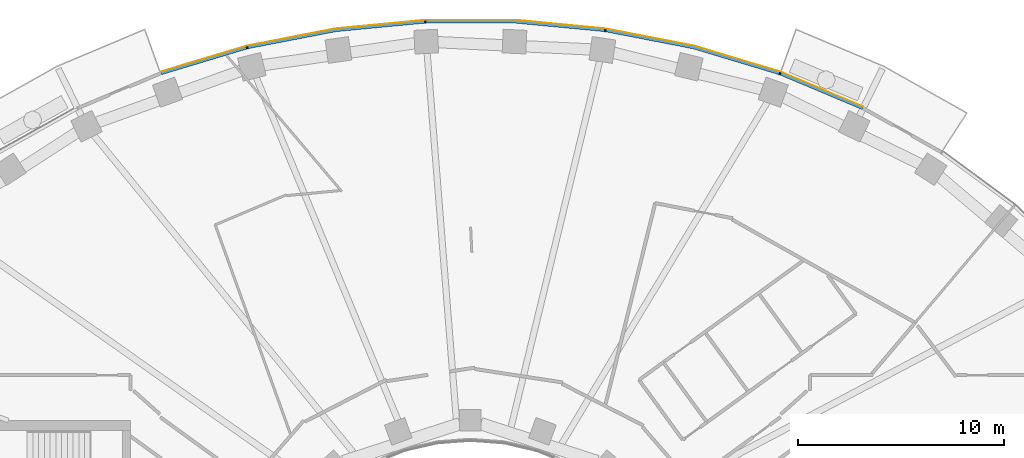
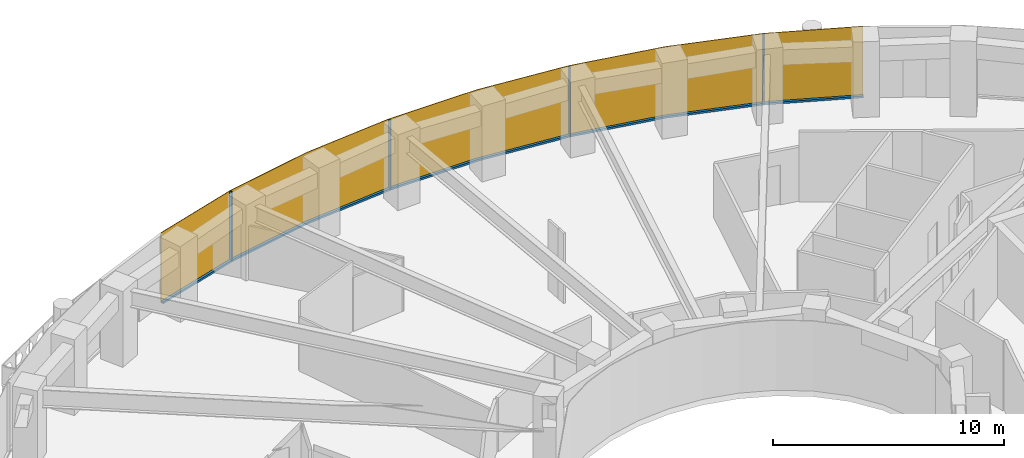
# One storey, part 12 of 15: 9 members, 1 curtain wall.
"""IFC4 building model written with IfcOpenShell, lengths in metres."""

import ifcopenshell
import ifcopenshell.guid

model = None  # the IFC model being written
_history = None  # IfcOwnerHistory: only IFC2X3 demands one
_inside = {}  # id of a spatial element -> (the spatial element, [elements in it])
_under = {}  # id of a project, library or spatial element -> (it, [spatial elements below it])
_declared = {}  # id of a project -> (the project, [libraries it declares])
_typed = {}  # id of a type object -> (the type object, [elements of that type])
_made_of = {}  # id of a material, layer set ... -> (it, [elements and type objects made of it])


def new_model(schema):
    """Start an empty IFC model of exactly this schema.

    Asked for "IFC4X3", IfcOpenShell would pick the latest addendum, in which some entities
    have other attributes; the version numbers below select the first issue.
    IFC2X3 requires an IfcOwnerHistory on every rooted entity: one is made here for all.
    """
    global model, _history
    if schema == "IFC4X3":
        model = ifcopenshell.file(schema_version=(4, 3, 0, 0))
    else:
        model = ifcopenshell.file(schema=schema)
    _inside.clear()
    _under.clear()
    _declared.clear()
    _typed.clear()
    _made_of.clear()
    _history = None
    if model.schema == "IFC2X3":
        org = make("IfcOrganization", Name="unknown")
        user = make(
            "IfcPersonAndOrganization",
            ThePerson=make("IfcPerson", FamilyName="unknown"),
            TheOrganization=org,
        )
        app = make(
            "IfcApplication",
            ApplicationDeveloper=org,
            Version="unknown",
            ApplicationFullName="unknown",
            ApplicationIdentifier="unknown",
        )
        _history = make(
            "IfcOwnerHistory",
            OwningUser=user,
            OwningApplication=app,
            ChangeAction="ADDED",
            CreationDate=0,
        )
    return model


def make(cls, **values):
    """One entity of the class cls with the attributes given. An attribute that is None is left unset."""
    return model.create_entity(
        cls, **{name: value for name, value in values.items() if value is not None}
    )


def rooted(cls, **values):
    """An entity with a GlobalId (a new one), such as an element, a storey or a relation."""
    return make(cls, GlobalId=ifcopenshell.guid.new(), OwnerHistory=_history, **values)


def si_unit(unit_type, name, prefix=None):
    """IfcSIUnit, for example si_unit("LENGTHUNIT", "METRE", prefix="MILLI")."""
    return make("IfcSIUnit", UnitType=unit_type, Prefix=prefix, Name=name)


def assignment(units):
    """IfcUnitAssignment: the units of a project."""
    return None if units is None else make("IfcUnitAssignment", Units=units)


def point(xyz):
    """IfcCartesianPoint."""
    return None if xyz is None else make("IfcCartesianPoint", Coordinates=xyz)


def direction(xyz):
    """IfcDirection."""
    return None if xyz is None else make("IfcDirection", DirectionRatios=xyz)


def frame(location, z_axis=None, x_axis=None):
    """IfcAxis2Placement3D, a coordinate frame: its origin and axes. An axis left out is left unset."""
    return make(
        "IfcAxis2Placement3D",
        Location=point(location),
        Axis=direction(z_axis),
        RefDirection=direction(x_axis),
    )


def frame_2d(location, x_axis=None):
    """IfcAxis2Placement2D, a coordinate frame in the plane: its origin and x axis."""
    return make(
        "IfcAxis2Placement2D", Location=point(location), RefDirection=direction(x_axis)
    )


def origin():
    """The frame at (0, 0, 0) with its axes left unset."""
    return frame((0.0, 0.0, 0.0))


def origin_2d():
    """The frame at (0, 0) in the plane with its x axis left unset."""
    return frame_2d((0.0, 0.0))


def place(relative_to, where):
    """IfcLocalPlacement: puts the frame where relative to a parent placement (None: the world)."""
    return make(
        "IfcLocalPlacement", PlacementRelTo=relative_to, RelativePlacement=where
    )


def context(
    kind, dimensions, precision=None, world=None, true_north=None, identifier=None
):
    """IfcGeometricRepresentationContext, for example the 3D "Model" context."""
    return make(
        "IfcGeometricRepresentationContext",
        ContextIdentifier=identifier,
        ContextType=kind,
        CoordinateSpaceDimension=dimensions,
        Precision=precision,
        WorldCoordinateSystem=world,
        TrueNorth=true_north,
    )


def subcontext(parent, identifier, kind, view, scale=None):
    """IfcGeometricRepresentationSubContext, for example "Body" below "Model"."""
    return make(
        "IfcGeometricRepresentationSubContext",
        ContextIdentifier=identifier,
        ContextType=kind,
        ParentContext=parent,
        TargetScale=scale,
        TargetView=view,
    )


def project(units=None, contexts=None):
    """IfcProject with its units and contexts."""
    return rooted(
        "IfcProject",
        Name="project",
        RepresentationContexts=contexts,
        UnitsInContext=assignment(units),
    )


def spatial(cls, under=None, at=None, **own):
    """A site, building, storey or space (cls), placed at a placement, below another one or the project."""
    s = rooted(cls, ObjectPlacement=at, **own)
    if under is not None:
        _under.setdefault(under.id(), (under, []))[1].append(s)
    return s


def polyline(points):
    """IfcPolyline through the points."""
    return make("IfcPolyline", Points=[point(p) for p in points])


def profile(cls, at=None, kind="AREA", **sizes):
    """A parametric profile (cls). Its sizes go by their IFC names, for example OverallWidth=200.0."""
    return make(cls, ProfileType=kind, Position=at, **sizes)


def rectangle(**sizes):
    """IfcRectangleProfileDef."""
    return profile("IfcRectangleProfileDef", **sizes)


def outline(outer, holes=None, kind="AREA"):
    """IfcArbitraryClosedProfileDef: a profile drawn as a closed curve; with holes, ...WithVoids."""
    if holes is None:
        return make("IfcArbitraryClosedProfileDef", ProfileType=kind, OuterCurve=outer)
    return make(
        "IfcArbitraryProfileDefWithVoids",
        ProfileType=kind,
        OuterCurve=outer,
        InnerCurves=holes,
    )


def extrude(swept, where, along, depth):
    """IfcExtrudedAreaSolid: the profile swept, set in the frame where, extruded along a direction by depth."""
    return make(
        "IfcExtrudedAreaSolid",
        SweptArea=swept,
        Position=where,
        ExtrudedDirection=direction(along),
        Depth=depth,
    )


def shape(context_of_items, identifier, shape_type, items):
    """IfcShapeRepresentation: the items that make up one representation, for example the "Body"."""
    return make(
        "IfcShapeRepresentation",
        ContextOfItems=context_of_items,
        RepresentationIdentifier=identifier,
        RepresentationType=shape_type,
        Items=items,
    )


def material(Name=None, Category=None):
    """IfcMaterial."""
    return make("IfcMaterial", Name=Name, Category=Category)


def layer(
    of_material, thickness, ventilated=None, Name=None, Category=None, Priority=None
):
    """IfcMaterialLayer: one layer of a wall or slab, of a material (None: an air gap)."""
    return make(
        "IfcMaterialLayer",
        Material=of_material,
        LayerThickness=thickness,
        IsVentilated=ventilated,
        Name=Name,
        Category=Category,
        Priority=Priority,
    )


def layer_set(layers, Name=None):
    """IfcMaterialLayerSet."""
    return make("IfcMaterialLayerSet", MaterialLayers=layers, LayerSetName=Name)


def material_profile(
    of_material, cross_section, Name=None, Category=None, Priority=None
):
    """IfcMaterialProfile: a cross section and its material."""
    return make(
        "IfcMaterialProfile",
        Name=Name,
        Material=of_material,
        Profile=cross_section,
        Priority=Priority,
        Category=Category,
    )


def profile_set(profiles, Name=None, composite=None):
    """IfcMaterialProfileSet."""
    return make(
        "IfcMaterialProfileSet",
        Name=Name,
        MaterialProfiles=profiles,
        CompositeProfile=composite,
    )


def made_of(thing, what):
    """Note that an element or type object is made of a material, layer set ...; save() writes the relation."""
    if what is not None:
        _made_of.setdefault(what.id(), (what, []))[1].append(thing)
    return thing


def type_object(cls, material=None, **own):
    """A type object (cls), such as IfcWallType, which elements share."""
    return made_of(rooted(cls, **own), material)


def element(
    cls,
    number,
    at=None,
    inside=None,
    cuts=None,
    type_object=None,
    material=None,
    context=None,
    identifier="Body",
    shape_type=None,
    held_by="IfcProductDefinitionShape",
    body=None,
    shapes=None,
    **own,
):
    """One element of the class cls, such as IfcWall. Its Tag is "e" and its number.

    at: its placement. inside: the storey or other place that contains it. cuts: it is an
    opening in that element (IfcRelVoidsElement). A single representation is given by context,
    identifier, shape_type and body (its items); several are given by shapes. held_by: the class
    of the entity that holds the representations. save() writes the other relations.
    """
    e = rooted(cls, Tag="e%d" % number, ObjectPlacement=at, **own)
    if body is not None:
        shapes = [shape(context, identifier, shape_type, body)]
    if shapes is not None:
        e.Representation = make(held_by, Representations=shapes)
    if inside is not None:
        _inside.setdefault(inside.id(), (inside, []))[1].append(e)
    if cuts is not None:
        rooted(
            "IfcRelVoidsElement", RelatingBuildingElement=cuts, RelatedOpeningElement=e
        )
    if type_object is not None:
        _typed.setdefault(type_object.id(), (type_object, []))[1].append(e)
    return made_of(e, material)


def aggregate(whole, parts):
    """IfcRelAggregates: a whole, such as a stair, and the parts it consists of."""
    return rooted("IfcRelAggregates", RelatingObject=whole, RelatedObjects=parts)


def save(model, path):
    """Write the relations noted so far, then the file.

    IfcRelAggregates (storeys below a building ...), IfcRelContainedInSpatialStructure (elements
    in a storey), IfcRelDefinesByType, IfcRelAssociatesMaterial and IfcRelDeclares: one each for
    every whole, place, type object, material and project.
    """
    for whole, parts in _under.values():
        aggregate(whole, parts)
    for where, things in _inside.values():
        rooted(
            "IfcRelContainedInSpatialStructure",
            RelatedElements=things,
            RelatingStructure=where,
        )
    for kind, things in _typed.values():
        rooted("IfcRelDefinesByType", RelatedObjects=things, RelatingType=kind)
    for what, things in _made_of.values():
        rooted("IfcRelAssociatesMaterial", RelatedObjects=things, RelatingMaterial=what)
    for by, libraries in _declared.values():
        rooted("IfcRelDeclares", RelatingContext=by, RelatedDefinitions=libraries)
    model.write(path)


model = new_model("IFC4")

# Units and contexts
model_context = context("Model", 3, precision=1e-05, world=origin(), true_north=direction((0.0, 1.0)))
body_context = subcontext(model_context, "Body", "Model", "MODEL_VIEW")
ifc_project = project(units=[si_unit("LENGTHUNIT", "METRE"), si_unit("AREAUNIT", "SQUARE_METRE"), si_unit("VOLUMEUNIT", "CUBIC_METRE"), si_unit("PLANEANGLEUNIT", "RADIAN"), si_unit("MASSUNIT", "GRAM", prefix="KILO")], contexts=[model_context])

# Member
ifc_material_1 = material(Name="Aluminium 6063-T6 black anodised", Category="aluminium")
ifc_material_profile = material_profile(ifc_material_1, rectangle(XDim=0.1201171875, YDim=0.06005859375, at=origin_2d()), Name="120x60")
ifc_profile_set = profile_set([ifc_material_profile], Name="Aluminium 6063-T6 black anodised")
member_type_1 = type_object("IfcMemberType", Name="ENV-MULLION-A-120", PredefinedType="MULLION", material=ifc_profile_set)
site_placement = place(None, origin())
building_placement = place(site_placement, origin())
storey_placement = place(building_placement, frame((0.0, 0.0, 194.0)))
member_1_placement = place(storey_placement, frame((15.0341796875, 25.34375, 0.0), z_axis=(0.0, 0.0, 1.0), x_axis=(-0.338379256581, -0.941009818608, 0.0)))
member_1 = element("IfcMember", 1, at=member_1_placement, type_object=member_type_1, Name="Mullion A radial 09", PredefinedType="MULLION", context=body_context, shape_type="SweptSolid", body=[
    extrude(rectangle(XDim=0.1201171875, YDim=0.06005859375, at=origin_2d()), origin(), (0.0, 0.0, 1.0), 3.699951171875),
])

member_2_placement = place(storey_placement, frame((6.54638671875, 27.440185546875, 0.0), z_axis=(0.0, 0.0, 1.0), x_axis=(-0.143082012705, -0.989710835366, 0.0)))
member_2 = element("IfcMember", 2, at=member_2_placement, type_object=member_type_1, Name="Mullion A radial 11", PredefinedType="MULLION", context=body_context, shape_type="SweptSolid", body=[
    extrude(rectangle(XDim=0.1201171875, YDim=0.06005859375, at=origin_2d()), origin(), (0.0, 0.0, 1.0), 3.699951171875),
])

member_3_placement = place(storey_placement, frame((-2.188720703125, 27.856201171875, 0.0), z_axis=(0.0, 0.0, 1.0), x_axis=(0.047557873581, -0.998868484166, 0.0)))
member_3 = element("IfcMember", 3, at=member_3_placement, type_object=member_type_1, Name="Mullion A radial 13", PredefinedType="MULLION", context=body_context, shape_type="SweptSolid", body=[
    extrude(rectangle(XDim=0.1201171875, YDim=0.06005859375, at=origin_2d()), origin(), (0.0, 0.0, 1.0), 3.699951171875),
])

member_4_placement = place(storey_placement, frame((-10.84326171875, 26.60498046875, 0.0), z_axis=(0.0, 0.0, 1.0), x_axis=(0.239799081534, -0.970822538106, 0.0)))
member_4 = element("IfcMember", 4, at=member_4_placement, type_object=member_type_1, Name="Mullion A radial 15", PredefinedType="MULLION", context=body_context, shape_type="SweptSolid", body=[
    extrude(rectangle(XDim=0.1201171875, YDim=0.06005859375, at=origin_2d()), origin(), (0.0, 0.0, 1.0), 3.699951171875),
])

ifc_material_2 = material(Name="Aluminium 6063-T6 black anodised", Category="aluminium")
member_type_2 = type_object("IfcMemberType", Name="ENV-TRANSOM-A", PredefinedType="USERDEFINED", material=ifc_material_2)
member_5_placement = place(storey_placement, origin())
member_5 = element("IfcMember", 5, at=member_5_placement, type_object=member_type_2, Name="Transom A radial 08-09", ObjectType="TRANSOM", PredefinedType="USERDEFINED", context=body_context, shape_type="SweptSolid", body=[
    extrude(outline(polyline([(19.07568359375, 23.709228515625), (15.080322265625, 25.389404296875), (15.03955078125, 25.276123046875), (19.02294921875, 23.601318359375), (19.07568359375, 23.709228515625)])), origin(), (0.0, 0.0, 1.0), 0.10009765625),
])

member_6_placement = place(storey_placement, origin())
member_6 = element("IfcMember", 6, at=member_6_placement, type_object=member_type_2, Name="Transom A radial 09-11", ObjectType="TRANSOM", PredefinedType="USERDEFINED", context=body_context, shape_type="SweptSolid", body=[
    extrude(outline(polyline([(15.027587890625, 25.408203125), (10.857666015625, 26.6630859375), (6.58251953125, 27.494140625), (6.5654296875, 27.375244140625), (10.828857421875, 26.54638671875), (14.987060546875, 25.295166015625), (15.027587890625, 25.408203125)])), origin(), (0.0, 0.0, 1.0), 0.10009765625),
])

member_7_placement = place(storey_placement, origin())
member_7 = element("IfcMember", 7, at=member_7_placement, type_object=member_type_2, Name="Transom A radial 11-13", ObjectType="TRANSOM", PredefinedType="USERDEFINED", context=body_context, shape_type="SweptSolid", body=[
    extrude(outline(polyline([(6.527099609375, 27.502197265625), (2.191650390625, 27.916015625), (-2.163818359375, 27.916015625), (-2.157958984375, 27.7958984375), (2.185791015625, 27.7958984375), (6.510009765625, 27.38330078125), (6.527099609375, 27.502197265625)])), origin(), (0.0, 0.0, 1.0), 0.10009765625),
])

member_8_placement = place(storey_placement, origin())
member_8 = element("IfcMember", 8, at=member_8_placement, type_object=member_type_2, Name="Transom A radial 13-15", ObjectType="TRANSOM", PredefinedType="USERDEFINED", context=body_context, shape_type="SweptSolid", body=[
    extrude(outline(polyline([(-2.219482421875, 27.913330078125), (-6.55517578125, 27.49951171875), (-10.830078125, 26.66845703125), (-10.80126953125, 26.552001953125), (-6.537841796875, 27.380615234375), (-2.2138671875, 27.793212890625), (-2.219482421875, 27.913330078125)])), origin(), (0.0, 0.0, 1.0), 0.10009765625),
])

member_9_placement = place(storey_placement, origin())
member_9 = element("IfcMember", 9, at=member_9_placement, type_object=member_type_2, Name="Transom A radial 15-16", ObjectType="TRANSOM", PredefinedType="USERDEFINED", context=body_context, shape_type="SweptSolid", body=[
    extrude(outline(polyline([(-10.884521484375, 26.655029296875), (-15.035400390625, 25.406005859375), (-14.99462890625, 25.292724609375), (-10.855712890625, 26.53857421875), (-10.884521484375, 26.655029296875)])), origin(), (0.0, 0.0, 1.0), 0.10009765625),
])

# Site, building, storey
site = spatial("IfcSite", under=ifc_project, at=site_placement, CompositionType="ELEMENT")
building = spatial("IfcBuilding", under=site, at=building_placement, Name="Noorbagh Ring Tower", CompositionType="ELEMENT")
storey = spatial("IfcBuildingStorey", under=building, at=storey_placement, Name="L45", CompositionType="ELEMENT", Elevation=194.0)

# Curtain wall
ifc_material_3 = material(Name="Glass dark tinted laminated", Category="glass")
ifc_layer = layer(ifc_material_3, 0.031982421875)
ifc_layer_set = layer_set([ifc_layer], Name="Glass dark tinted laminated")
curtain_wall_type = type_object("IfcCurtainWallType", Name="ENV-CW-A", PredefinedType="NOTDEFINED", material=ifc_layer_set)
curtain_wall_placement = place(storey_placement, origin())
curtain_wall = element("IfcCurtainWall", 10, at=curtain_wall_placement, inside=storey, type_object=curtain_wall_type, Name="Curtain wall A R08", PredefinedType="NOTDEFINED", context=body_context, shape_type="SweptSolid", body=[
    extrude(outline(polyline([(19.08984375, 23.738037109375), (15.065185546875, 25.430419921875), (10.865234375, 26.6943359375), (6.559814453125, 27.53125), (2.193115234375, 27.947998046875), (-2.193115234375, 27.947998046875), (-6.559814453125, 27.53125), (-10.865234375, 26.6943359375), (-15.046142578125, 25.43603515625), (-15.035400390625, 25.406005859375), (-10.857666015625, 26.6630859375), (-6.55517578125, 27.49951171875), (-2.191650390625, 27.916015625), (2.191650390625, 27.916015625), (6.55517578125, 27.49951171875), (10.857666015625, 26.6630859375), (15.054443359375, 25.400146484375), (19.07568359375, 23.709228515625), (19.08984375, 23.738037109375)])), origin(), (0.0, 0.0, 1.0), 3.699951171875),
])

aggregate(curtain_wall, [member_1, member_2, member_3, member_4, member_5, member_6, member_7, member_8, member_9])

save(model, "model.ifc")
